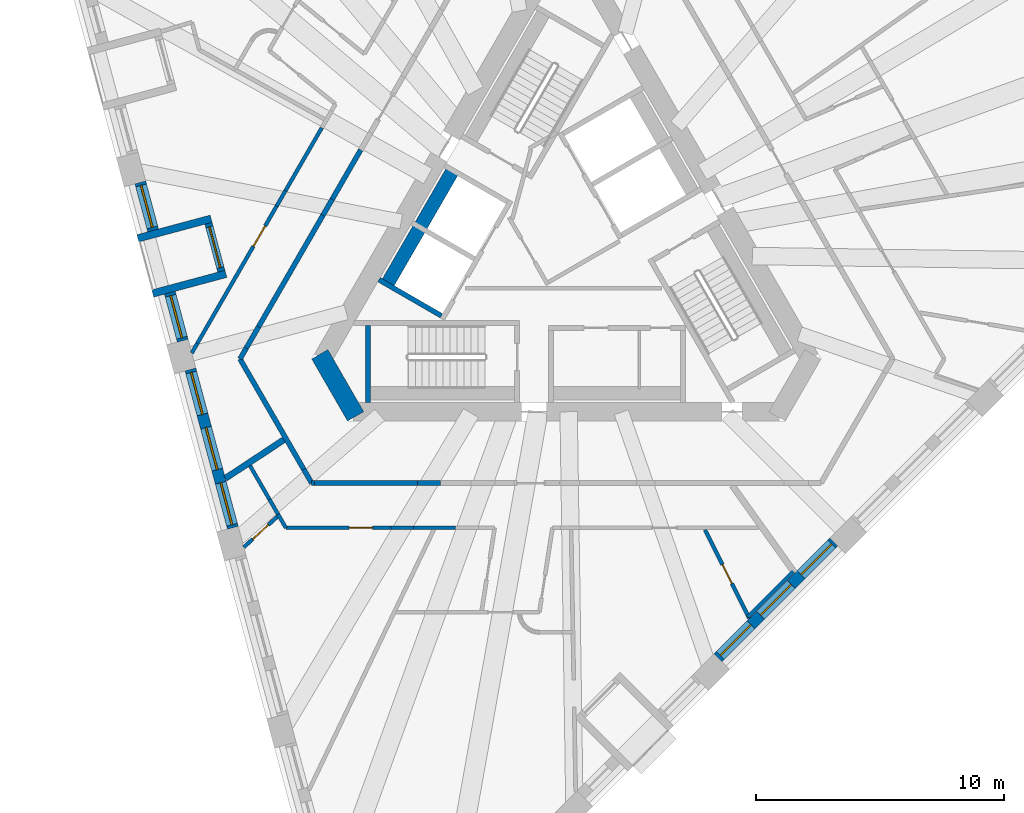
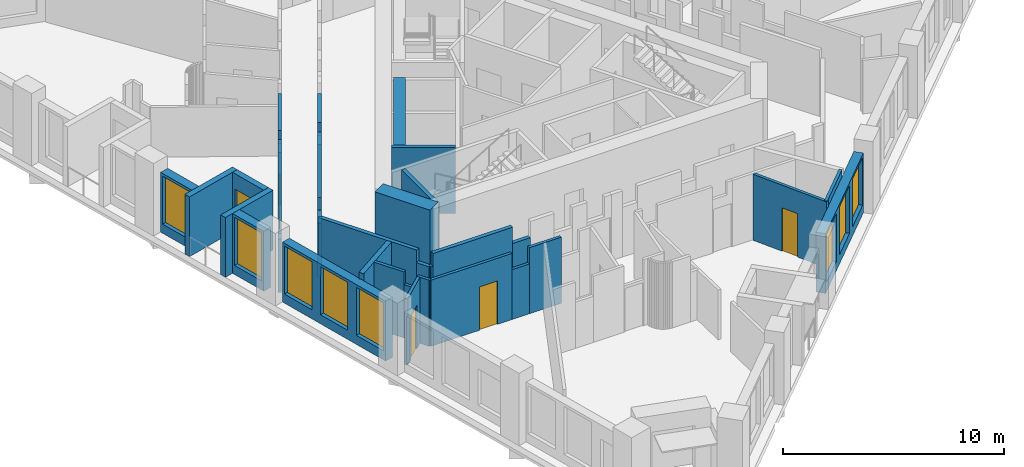
# One storey, part 3 of 13: 35 walls, 8 windows, 5 doors, 13 openings.
"""IFC4 building model written with IfcOpenShell, lengths in metres."""

import ifcopenshell
import ifcopenshell.guid

model = None  # the IFC model being written
_history = None  # IfcOwnerHistory: only IFC2X3 demands one
_inside = {}  # id of a spatial element -> (the spatial element, [elements in it])
_under = {}  # id of a project, library or spatial element -> (it, [spatial elements below it])
_declared = {}  # id of a project -> (the project, [libraries it declares])
_typed = {}  # id of a type object -> (the type object, [elements of that type])
_made_of = {}  # id of a material, layer set ... -> (it, [elements and type objects made of it])


def new_model(schema):
    """Start an empty IFC model of exactly this schema.

    Asked for "IFC4X3", IfcOpenShell would pick the latest addendum, in which some entities
    have other attributes; the version numbers below select the first issue.
    IFC2X3 requires an IfcOwnerHistory on every rooted entity: one is made here for all.
    """
    global model, _history
    if schema == "IFC4X3":
        model = ifcopenshell.file(schema_version=(4, 3, 0, 0))
    else:
        model = ifcopenshell.file(schema=schema)
    _inside.clear()
    _under.clear()
    _declared.clear()
    _typed.clear()
    _made_of.clear()
    _history = None
    if model.schema == "IFC2X3":
        org = make("IfcOrganization", Name="unknown")
        user = make(
            "IfcPersonAndOrganization",
            ThePerson=make("IfcPerson", FamilyName="unknown"),
            TheOrganization=org,
        )
        app = make(
            "IfcApplication",
            ApplicationDeveloper=org,
            Version="unknown",
            ApplicationFullName="unknown",
            ApplicationIdentifier="unknown",
        )
        _history = make(
            "IfcOwnerHistory",
            OwningUser=user,
            OwningApplication=app,
            ChangeAction="ADDED",
            CreationDate=0,
        )
    return model


def make(cls, **values):
    """One entity of the class cls with the attributes given. An attribute that is None is left unset."""
    return model.create_entity(
        cls, **{name: value for name, value in values.items() if value is not None}
    )


def rooted(cls, **values):
    """An entity with a GlobalId (a new one), such as an element, a storey or a relation."""
    return make(cls, GlobalId=ifcopenshell.guid.new(), OwnerHistory=_history, **values)


def si_unit(unit_type, name, prefix=None):
    """IfcSIUnit, for example si_unit("LENGTHUNIT", "METRE", prefix="MILLI")."""
    return make("IfcSIUnit", UnitType=unit_type, Prefix=prefix, Name=name)


def assignment(units):
    """IfcUnitAssignment: the units of a project."""
    return None if units is None else make("IfcUnitAssignment", Units=units)


def point(xyz):
    """IfcCartesianPoint."""
    return None if xyz is None else make("IfcCartesianPoint", Coordinates=xyz)


def direction(xyz):
    """IfcDirection."""
    return None if xyz is None else make("IfcDirection", DirectionRatios=xyz)


def frame(location, z_axis=None, x_axis=None):
    """IfcAxis2Placement3D, a coordinate frame: its origin and axes. An axis left out is left unset."""
    return make(
        "IfcAxis2Placement3D",
        Location=point(location),
        Axis=direction(z_axis),
        RefDirection=direction(x_axis),
    )


def frame_2d(location, x_axis=None):
    """IfcAxis2Placement2D, a coordinate frame in the plane: its origin and x axis."""
    return make(
        "IfcAxis2Placement2D", Location=point(location), RefDirection=direction(x_axis)
    )


def origin():
    """The frame at (0, 0, 0) with its axes left unset."""
    return frame((0.0, 0.0, 0.0))


def place(relative_to, where):
    """IfcLocalPlacement: puts the frame where relative to a parent placement (None: the world)."""
    return make(
        "IfcLocalPlacement", PlacementRelTo=relative_to, RelativePlacement=where
    )


def context(
    kind, dimensions, precision=None, world=None, true_north=None, identifier=None
):
    """IfcGeometricRepresentationContext, for example the 3D "Model" context."""
    return make(
        "IfcGeometricRepresentationContext",
        ContextIdentifier=identifier,
        ContextType=kind,
        CoordinateSpaceDimension=dimensions,
        Precision=precision,
        WorldCoordinateSystem=world,
        TrueNorth=true_north,
    )


def subcontext(parent, identifier, kind, view, scale=None):
    """IfcGeometricRepresentationSubContext, for example "Body" below "Model"."""
    return make(
        "IfcGeometricRepresentationSubContext",
        ContextIdentifier=identifier,
        ContextType=kind,
        ParentContext=parent,
        TargetScale=scale,
        TargetView=view,
    )


def project(units=None, contexts=None):
    """IfcProject with its units and contexts."""
    return rooted(
        "IfcProject",
        Name="project",
        RepresentationContexts=contexts,
        UnitsInContext=assignment(units),
    )


def spatial(cls, under=None, at=None, **own):
    """A site, building, storey or space (cls), placed at a placement, below another one or the project."""
    s = rooted(cls, ObjectPlacement=at, **own)
    if under is not None:
        _under.setdefault(under.id(), (under, []))[1].append(s)
    return s


def profile(cls, at=None, kind="AREA", **sizes):
    """A parametric profile (cls). Its sizes go by their IFC names, for example OverallWidth=200.0."""
    return make(cls, ProfileType=kind, Position=at, **sizes)


def rectangle(**sizes):
    """IfcRectangleProfileDef."""
    return profile("IfcRectangleProfileDef", **sizes)


def extrude(swept, where, along, depth):
    """IfcExtrudedAreaSolid: the profile swept, set in the frame where, extruded along a direction by depth."""
    return make(
        "IfcExtrudedAreaSolid",
        SweptArea=swept,
        Position=where,
        ExtrudedDirection=direction(along),
        Depth=depth,
    )


def shape(context_of_items, identifier, shape_type, items):
    """IfcShapeRepresentation: the items that make up one representation, for example the "Body"."""
    return make(
        "IfcShapeRepresentation",
        ContextOfItems=context_of_items,
        RepresentationIdentifier=identifier,
        RepresentationType=shape_type,
        Items=items,
    )


def material(Name=None, Category=None):
    """IfcMaterial."""
    return make("IfcMaterial", Name=Name, Category=Category)


def layer(
    of_material, thickness, ventilated=None, Name=None, Category=None, Priority=None
):
    """IfcMaterialLayer: one layer of a wall or slab, of a material (None: an air gap)."""
    return make(
        "IfcMaterialLayer",
        Material=of_material,
        LayerThickness=thickness,
        IsVentilated=ventilated,
        Name=Name,
        Category=Category,
        Priority=Priority,
    )


def layer_set(layers, Name=None):
    """IfcMaterialLayerSet."""
    return make("IfcMaterialLayerSet", MaterialLayers=layers, LayerSetName=Name)


def made_of(thing, what):
    """Note that an element or type object is made of a material, layer set ...; save() writes the relation."""
    if what is not None:
        _made_of.setdefault(what.id(), (what, []))[1].append(thing)
    return thing


def type_object(cls, material=None, **own):
    """A type object (cls), such as IfcWallType, which elements share."""
    return made_of(rooted(cls, **own), material)


def element(
    cls,
    number,
    at=None,
    inside=None,
    cuts=None,
    type_object=None,
    material=None,
    context=None,
    identifier="Body",
    shape_type=None,
    held_by="IfcProductDefinitionShape",
    body=None,
    shapes=None,
    **own,
):
    """One element of the class cls, such as IfcWall. Its Tag is "e" and its number.

    at: its placement. inside: the storey or other place that contains it. cuts: it is an
    opening in that element (IfcRelVoidsElement). A single representation is given by context,
    identifier, shape_type and body (its items); several are given by shapes. held_by: the class
    of the entity that holds the representations. save() writes the other relations.
    """
    e = rooted(cls, Tag="e%d" % number, ObjectPlacement=at, **own)
    if body is not None:
        shapes = [shape(context, identifier, shape_type, body)]
    if shapes is not None:
        e.Representation = make(held_by, Representations=shapes)
    if inside is not None:
        _inside.setdefault(inside.id(), (inside, []))[1].append(e)
    if cuts is not None:
        rooted(
            "IfcRelVoidsElement", RelatingBuildingElement=cuts, RelatedOpeningElement=e
        )
    if type_object is not None:
        _typed.setdefault(type_object.id(), (type_object, []))[1].append(e)
    return made_of(e, material)


def fill(opening, filler):
    """IfcRelFillsElement: the door or window that sits in an opening."""
    return rooted(
        "IfcRelFillsElement",
        RelatingOpeningElement=opening,
        RelatedBuildingElement=filler,
    )


def aggregate(whole, parts):
    """IfcRelAggregates: a whole, such as a stair, and the parts it consists of."""
    return rooted("IfcRelAggregates", RelatingObject=whole, RelatedObjects=parts)


def save(model, path):
    """Write the relations noted so far, then the file.

    IfcRelAggregates (storeys below a building ...), IfcRelContainedInSpatialStructure (elements
    in a storey), IfcRelDefinesByType, IfcRelAssociatesMaterial and IfcRelDeclares: one each for
    every whole, place, type object, material and project.
    """
    for whole, parts in _under.values():
        aggregate(whole, parts)
    for where, things in _inside.values():
        rooted(
            "IfcRelContainedInSpatialStructure",
            RelatedElements=things,
            RelatingStructure=where,
        )
    for kind, things in _typed.values():
        rooted("IfcRelDefinesByType", RelatedObjects=things, RelatingType=kind)
    for what, things in _made_of.values():
        rooted("IfcRelAssociatesMaterial", RelatedObjects=things, RelatingMaterial=what)
    for by, libraries in _declared.values():
        rooted("IfcRelDeclares", RelatingContext=by, RelatedDefinitions=libraries)
    model.write(path)


model = new_model("IFC4")

# Units and contexts
model_context = context("Model", 3, precision=1e-05, world=origin(), true_north=direction((0.0, 1.0)))
body_context = subcontext(model_context, "Body", "Model", "MODEL_VIEW")
ifc_project = project(units=[si_unit("LENGTHUNIT", "METRE"), si_unit("AREAUNIT", "SQUARE_METRE"), si_unit("VOLUMEUNIT", "CUBIC_METRE"), si_unit("PLANEANGLEUNIT", "RADIAN"), si_unit("MASSUNIT", "GRAM", prefix="KILO")], contexts=[model_context])

# Site, building, storey
site_placement = place(None, origin())
site = spatial("IfcSite", under=ifc_project, at=site_placement, CompositionType="ELEMENT")
building_placement = place(site_placement, origin())
building = spatial("IfcBuilding", under=site, at=building_placement, Name="Tramontana Tower", CompositionType="ELEMENT")
storey_placement = place(building_placement, frame((0.0, 0.0, 220.0)))
storey = spatial("IfcBuildingStorey", under=building, at=storey_placement, Name="L51", CompositionType="ELEMENT", Elevation=220.0)

# Walls
ifc_material_1 = material(Name="Concrete 70 MPa", Category="concrete")
ifc_layer_1 = layer(ifc_material_1, 0.75)
ifc_layer_set_1 = layer_set([ifc_layer_1], Name="Core wall 750 70 MPa")
wall_type_1 = type_object("IfcWallType", Name="Core wall 750 70 MPa", PredefinedType="SHEAR", material=ifc_layer_set_1)
wall_1_placement = place(storey_placement, frame((-9.923095703125, -4.0625, 0.0), z_axis=(0.0, 0.0, 1.0), x_axis=(0.499995765644, -0.866027848477, 0.0)))
element("IfcWall", 1, at=wall_1_placement, inside=storey, type_object=wall_type_1, Name="Core wall C2 L51", PredefinedType="SHEAR", context=body_context, shape_type="SweptSolid", body=[
    extrude(rectangle(XDim=2.88671875, YDim=0.75, at=frame_2d((1.443359375, 0.0))), origin(), (0.0, 0.0, 1.0), 4.0),
])
ifc_material_2 = material(Name="Blockwork", Category="masonry")
ifc_layer_2 = layer(ifc_material_2, 0.199951171875)
ifc_layer_set_2 = layer_set([ifc_layer_2], Name="ENTRY WALL 200")
wall_type_2 = type_object("IfcWallType", Name="ENTRY WALL 200", PredefinedType="SOLIDWALL", material=ifc_layer_set_2)
wall_2_placement = place(storey_placement, frame((-5.05615234375, -9.25, 0.0), z_axis=(0.0, 0.0, 1.0), x_axis=(-1.0, 0.0, 0.0)))
element("IfcWall", 2, at=wall_2_placement, inside=storey, type_object=wall_type_2, Name="Wall v51-ew2-11", PredefinedType="SOLIDWALL", context=body_context, shape_type="SweptSolid", body=[
    extrude(rectangle(XDim=0.931640625, YDim=0.199951171875, at=frame_2d((0.4658203125, 0.0))), origin(), (0.0, 0.0, 1.0), 2.75),
])
wall_3_placement = place(storey_placement, frame((-5.98779296875, -9.25, 0.0), z_axis=(0.0, 0.0, 1.0), x_axis=(-1.0, 0.0, 0.0)))
element("IfcWall", 3, at=wall_3_placement, inside=storey, type_object=wall_type_2, Name="Wall v51-ew2-12", PredefinedType="SOLIDWALL", context=body_context, shape_type="SweptSolid", body=[
    extrude(rectangle(XDim=4.1552734375, YDim=0.199951171875, at=frame_2d((2.07763671875, 0.0))), origin(), (0.0, 0.0, 1.0), 3.64990234375),
])
wall_4_placement = place(storey_placement, frame((-10.14306640625, -9.25, 0.0), z_axis=(0.0, 0.0, 1.0), x_axis=(-1.0, 0.0, 0.0)))
element("IfcWall", 4, at=wall_4_placement, inside=storey, type_object=wall_type_2, Name="Wall v51-ew2-13", PredefinedType="SOLIDWALL", context=body_context, shape_type="SweptSolid", body=[
    extrude(rectangle(XDim=0.10498046875, YDim=0.199951171875, at=frame_2d((0.052490234375, 0.0))), origin(), (0.0, 0.0, 1.0), 2.949951171875),
])
wall_5_placement = place(storey_placement, frame((-10.248046875, -9.25, 0.0), z_axis=(0.0, 0.0, 1.0), x_axis=(-0.499733411443, 0.86617926406, 0.0)))
element("IfcWall", 5, at=wall_5_placement, inside=storey, type_object=wall_type_2, Name="Wall v51-ew3-0", PredefinedType="SOLIDWALL", context=body_context, shape_type="SweptSolid", body=[
    extrude(rectangle(XDim=0.642822265625, YDim=0.199951171875, at=frame_2d((0.3212890625, 0.0))), origin(), (0.0, 0.0, 1.0), 2.949951171875),
])
wall_6_placement = place(storey_placement, frame((-10.5693359375, -8.693115234375, 0.0), z_axis=(0.0, 0.0, 1.0), x_axis=(-0.500028638513, 0.8660088687, 0.0)))
element("IfcWall", 6, at=wall_6_placement, inside=storey, type_object=wall_type_2, Name="Wall v51-ew3-1", PredefinedType="SOLIDWALL", context=body_context, shape_type="SweptSolid", body=[
    extrude(rectangle(XDim=5.130615234375, YDim=0.199951171875, at=frame_2d((2.5654296875, 0.0))), origin(), (0.0, 0.0, 1.0), 3.64990234375),
])
wall_7_placement = place(storey_placement, frame((-13.134765625, -4.25, 0.0), z_axis=(0.0, 0.0, 1.0), x_axis=(0.500002592159, 0.866023907196, 0.0)))
element("IfcWall", 7, at=wall_7_placement, inside=storey, type_object=wall_type_2, Name="Wall v51-ew4-0", PredefinedType="SOLIDWALL", context=body_context, shape_type="SweptSolid", body=[
    extrude(rectangle(XDim=0.5029296875, YDim=0.199951171875, at=frame_2d((0.25146484375, 0.0))), origin(), (0.0, 0.0, 1.0), 3.64990234375),
])
wall_8_placement = place(storey_placement, frame((-12.88330078125, -3.814453125, 0.0), z_axis=(0.0, 0.0, 1.0), x_axis=(0.500063959222, 0.865988473761, 0.0)))
element("IfcWall", 8, at=wall_8_placement, inside=storey, type_object=wall_type_2, Name="Wall v51-ew4-1", PredefinedType="SOLIDWALL", context=body_context, shape_type="SweptSolid", body=[
    extrude(rectangle(XDim=0.989990234375, YDim=0.199951171875, at=frame_2d((0.4951171875, 0.0))), origin(), (0.0, 0.0, 1.0), 2.949951171875),
])
wall_9_placement = place(storey_placement, frame((-12.38818359375, -2.95703125, 0.0), z_axis=(0.0, 0.0, 1.0), x_axis=(0.499990271856, 0.866031020258, 0.0)))
element("IfcWall", 9, at=wall_9_placement, inside=storey, type_object=wall_type_2, Name="Wall v51-ew4-2", PredefinedType="SOLIDWALL", context=body_context, shape_type="SweptSolid", body=[
    extrude(rectangle(XDim=5.181640625, YDim=0.199951171875, at=frame_2d((2.5908203125, 0.0))), origin(), (0.0, 0.0, 1.0), 3.64990234375),
])
wall_10_placement = place(storey_placement, frame((-9.79736328125, 1.530517578125, 0.0), z_axis=(0.0, 0.0, 1.0), x_axis=(0.499931655587, 0.866064858854, 0.0)))
element("IfcWall", 10, at=wall_10_placement, inside=storey, type_object=wall_type_2, Name="Wall v51-ew4-3", PredefinedType="SOLIDWALL", context=body_context, shape_type="SweptSolid", body=[
    extrude(rectangle(XDim=0.74072265625, YDim=0.199951171875, at=frame_2d((0.370361328125, 0.0))), origin(), (0.0, 0.0, 1.0), 2.949951171875),
])
wall_11_placement = place(storey_placement, frame((-9.427001953125, 2.172119140625, 0.0), z_axis=(0.0, 0.0, 1.0), x_axis=(0.500013761451, 0.866017458461, 0.0)))
element("IfcWall", 11, at=wall_11_placement, inside=storey, type_object=wall_type_2, Name="Wall v51-ew4-4", PredefinedType="SOLIDWALL", context=body_context, shape_type="SweptSolid", body=[
    extrude(rectangle(XDim=2.29736328125, YDim=0.199951171875, at=frame_2d((1.148681640625, 0.0))), origin(), (0.0, 0.0, 1.0), 3.64990234375),
])

# Wall, opening, window
ifc_material_3 = material(Name="Precast concrete 60 MPa", Category="concrete")
ifc_layer_3 = layer(ifc_material_3, 0.449951171875)
ifc_layer_set_3 = layer_set([ifc_layer_3], Name="Precast concrete 60 MPa, 450 mm")
wall_type_3 = type_object("IfcWallType", Name="EW1 Stone-faced precast wall 450", PredefinedType="SOLIDWALL", material=ifc_layer_set_3)
wall_12_placement = place(storey_placement, frame((-17.147705078125, 2.853271484375, 0.0), z_axis=(0.0, 0.0, 1.0), x_axis=(0.258803270362, -0.96593005298, 0.0)))
wall_12 = element("IfcWall", 12, at=wall_12_placement, inside=storey, type_object=wall_type_3, Name="External wall L51 face 0 bay 3", PredefinedType="SOLIDWALL", context=body_context, shape_type="SweptSolid", body=[
    extrude(rectangle(XDim=1.998046875, YDim=0.449951171875, at=frame_2d((0.9990234375, 0.0))), origin(), (0.0, 0.0, 1.0), 3.300048828125),
])
opening_1_placement = place(wall_12_placement, frame((0.1240234375, 0.0, 0.5)))
opening_1 = element("IfcOpeningElement", 13, at=opening_1_placement, cuts=wall_12, Name="Opening M2", PredefinedType="OPENING", context=body_context, shape_type="SweptSolid", body=[
    extrude(rectangle(XDim=1.75, YDim=2.64990234375, at=frame_2d((0.875, 1.324951171875))), frame((0.0, 0.23486328125, 0.0), z_axis=(0.0, -1.0, 0.0), x_axis=(1.0, 0.0, 0.0)), (0.0, 0.0, 1.0), 0.469970703125),
])
ifc_material_4 = material(Name="Aluminum frame, double glazing unit", Category="aluminium")
window_type = type_object("IfcWindowType", Name="M2 Window 1.75 x 2.65", PartitioningType="SINGLE_PANEL", PredefinedType="WINDOW", material=ifc_material_4)
window_1_placement = place(opening_1_placement, origin())
window_1 = element("IfcWindow", 14, at=window_1_placement, inside=storey, type_object=window_type, Name="Window M2 L51 face 0 module 7", OverallHeight=2.64990234375, OverallWidth=1.75, PartitioningType="SINGLE_PANEL", PredefinedType="WINDOW", context=body_context, shape_type="SweptSolid", body=[
    extrude(rectangle(XDim=1.75, YDim=2.64990234375, at=frame_2d((0.875, 1.324951171875))), frame((0.0, 0.030029296875, 0.0), z_axis=(0.0, -1.0, 0.0), x_axis=(1.0, 0.0, 0.0)), (0.0, 0.0, 1.0), 0.06005859375),
])
fill(opening_1, window_1)

wall_13_placement = place(storey_placement, frame((-15.958251953125, -1.586181640625, 0.0), z_axis=(0.0, 0.0, 1.0), x_axis=(0.258772727493, -0.965938235865, 0.0)))
wall_13 = element("IfcWall", 15, at=wall_13_placement, inside=storey, type_object=wall_type_3, Name="External wall L51 face 0 bay 3", PredefinedType="SOLIDWALL", context=body_context, shape_type="SweptSolid", body=[
    extrude(rectangle(XDim=1.998291015625, YDim=0.449951171875, at=frame_2d((0.9990234375, 0.0))), origin(), (0.0, 0.0, 1.0), 3.300048828125),
])
opening_2_placement = place(wall_13_placement, frame((0.1240234375, 0.0, 0.5)))
opening_2 = element("IfcOpeningElement", 16, at=opening_2_placement, cuts=wall_13, Name="Opening M2", PredefinedType="OPENING", context=body_context, shape_type="SweptSolid", body=[
    extrude(rectangle(XDim=1.75, YDim=2.64990234375, at=frame_2d((0.875, 1.324951171875))), frame((0.0, 0.23486328125, 0.0), z_axis=(0.0, -1.0, 0.0), x_axis=(1.0, 0.0, 0.0)), (0.0, 0.0, 1.0), 0.469970703125),
])
window_2_placement = place(opening_2_placement, origin())
window_2 = element("IfcWindow", 17, at=window_2_placement, inside=storey, type_object=window_type, Name="Window M2 L51 face 0 module 9", OverallHeight=2.64990234375, OverallWidth=1.75, PartitioningType="SINGLE_PANEL", PredefinedType="WINDOW", context=body_context, shape_type="SweptSolid", body=[
    extrude(rectangle(XDim=1.75, YDim=2.64990234375, at=frame_2d((0.875, 1.324951171875))), frame((0.0, 0.030029296875, 0.0), z_axis=(0.0, -1.0, 0.0), x_axis=(1.0, 0.0, 0.0)), (0.0, 0.0, 1.0), 0.06005859375),
])
fill(opening_2, window_2)

# Wall, openings, windows
wall_14_placement = place(storey_placement, frame((-15.13037109375, -4.67529296875, 0.0), z_axis=(0.0, 0.0, 1.0), x_axis=(0.258791602952, -0.965933178973, 0.0)))
wall_14 = element("IfcWall", 18, at=wall_14_placement, inside=storey, type_object=wall_type_3, Name="External wall L51 face 0 bay 4", PredefinedType="SOLIDWALL", context=body_context, shape_type="SweptSolid", body=[
    extrude(rectangle(XDim=6.59423828125, YDim=0.449951171875, at=frame_2d((3.297119140625, 0.0))), origin(), (0.0, 0.0, 1.0), 3.300048828125),
])
opening_3_placement = place(wall_14_placement, frame((0.1240234375, 0.0, 0.5)))
opening_3 = element("IfcOpeningElement", 19, at=opening_3_placement, cuts=wall_14, Name="Opening M2", PredefinedType="OPENING", context=body_context, shape_type="SweptSolid", body=[
    extrude(rectangle(XDim=1.75, YDim=2.64990234375, at=frame_2d((0.875, 1.324951171875))), frame((0.0, 0.23486328125, 0.0), z_axis=(0.0, -1.0, 0.0), x_axis=(1.0, 0.0, 0.0)), (0.0, 0.0, 1.0), 0.469970703125),
])
opening_4_placement = place(wall_14_placement, frame((2.422119140625, 0.0, 0.5)))
opening_4 = element("IfcOpeningElement", 20, at=opening_4_placement, cuts=wall_14, Name="Opening M2", PredefinedType="OPENING", context=body_context, shape_type="SweptSolid", body=[
    extrude(rectangle(XDim=1.75, YDim=2.64990234375, at=frame_2d((0.875, 1.324951171875))), frame((0.0, 0.23486328125, 0.0), z_axis=(0.0, -1.0, 0.0), x_axis=(1.0, 0.0, 0.0)), (0.0, 0.0, 1.0), 0.469970703125),
])
opening_5_placement = place(wall_14_placement, frame((4.72021484375, 0.0, 0.5)))
opening_5 = element("IfcOpeningElement", 21, at=opening_5_placement, cuts=wall_14, Name="Opening M2", PredefinedType="OPENING", context=body_context, shape_type="SweptSolid", body=[
    extrude(rectangle(XDim=1.75, YDim=2.64990234375, at=frame_2d((0.875, 1.324951171875))), frame((0.0, 0.23486328125, 0.0), z_axis=(0.0, -1.0, 0.0), x_axis=(1.0, 0.0, 0.0)), (0.0, 0.0, 1.0), 0.469970703125),
])
window_3_placement = place(opening_3_placement, origin())
window_3 = element("IfcWindow", 22, at=window_3_placement, inside=storey, type_object=window_type, Name="Window M2 L51 face 0 module 10", OverallHeight=2.64990234375, OverallWidth=1.75, PartitioningType="SINGLE_PANEL", PredefinedType="WINDOW", context=body_context, shape_type="SweptSolid", body=[
    extrude(rectangle(XDim=1.75, YDim=2.64990234375, at=frame_2d((0.875, 1.324951171875))), frame((0.0, 0.030029296875, 0.0), z_axis=(0.0, -1.0, 0.0), x_axis=(1.0, 0.0, 0.0)), (0.0, 0.0, 1.0), 0.06005859375),
])
fill(opening_3, window_3)
window_4_placement = place(opening_4_placement, origin())
window_4 = element("IfcWindow", 23, at=window_4_placement, inside=storey, type_object=window_type, Name="Window M2 L51 face 0 module 11", OverallHeight=2.64990234375, OverallWidth=1.75, PartitioningType="SINGLE_PANEL", PredefinedType="WINDOW", context=body_context, shape_type="SweptSolid", body=[
    extrude(rectangle(XDim=1.75, YDim=2.64990234375, at=frame_2d((0.875, 1.324951171875))), frame((0.0, 0.030029296875, 0.0), z_axis=(0.0, -1.0, 0.0), x_axis=(1.0, 0.0, 0.0)), (0.0, 0.0, 1.0), 0.06005859375),
])
fill(opening_4, window_4)
window_5_placement = place(opening_5_placement, origin())
window_5 = element("IfcWindow", 24, at=window_5_placement, inside=storey, type_object=window_type, Name="Window M2 L51 face 0 module 12", OverallHeight=2.64990234375, OverallWidth=1.75, PartitioningType="SINGLE_PANEL", PredefinedType="WINDOW", context=body_context, shape_type="SweptSolid", body=[
    extrude(rectangle(XDim=1.75, YDim=2.64990234375, at=frame_2d((0.875, 1.324951171875))), frame((0.0, 0.030029296875, 0.0), z_axis=(0.0, -1.0, 0.0), x_axis=(1.0, 0.0, 0.0)), (0.0, 0.0, 1.0), 0.06005859375),
])
fill(opening_5, window_5)

wall_15_placement = place(storey_placement, frame((6.102783203125, -16.277099609375, 0.0), z_axis=(0.0, 0.0, 1.0), x_axis=(0.707106781187, 0.707106781187, 0.0)))
wall_15 = element("IfcWall", 25, at=wall_15_placement, inside=storey, type_object=wall_type_3, Name="External wall L51 face 1 bay 3", PredefinedType="SOLIDWALL", context=body_context, shape_type="SweptSolid", body=[
    extrude(rectangle(XDim=6.59423828125, YDim=0.449951171875, at=frame_2d((3.297119140625, 0.0))), origin(), (0.0, 0.0, 1.0), 3.300048828125),
])
opening_6_placement = place(wall_15_placement, frame((0.1240234375, 0.0, 0.5)))
opening_6 = element("IfcOpeningElement", 26, at=opening_6_placement, cuts=wall_15, Name="Opening M2", PredefinedType="OPENING", context=body_context, shape_type="SweptSolid", body=[
    extrude(rectangle(XDim=1.75, YDim=2.64990234375, at=frame_2d((0.875, 1.324951171875))), frame((0.0, 0.23486328125, 0.0), z_axis=(0.0, -1.0, 0.0), x_axis=(1.0, 0.0, 0.0)), (0.0, 0.0, 1.0), 0.469970703125),
])
opening_7_placement = place(wall_15_placement, frame((2.422119140625, 0.0, 0.5)))
opening_7 = element("IfcOpeningElement", 27, at=opening_7_placement, cuts=wall_15, Name="Opening M2", PredefinedType="OPENING", context=body_context, shape_type="SweptSolid", body=[
    extrude(rectangle(XDim=1.75, YDim=2.64990234375, at=frame_2d((0.875, 1.324951171875))), frame((0.0, 0.23486328125, 0.0), z_axis=(0.0, -1.0, 0.0), x_axis=(1.0, 0.0, 0.0)), (0.0, 0.0, 1.0), 0.469970703125),
])
opening_8_placement = place(wall_15_placement, frame((4.72021484375, 0.0, 0.5)))
opening_8 = element("IfcOpeningElement", 28, at=opening_8_placement, cuts=wall_15, Name="Opening M2", PredefinedType="OPENING", context=body_context, shape_type="SweptSolid", body=[
    extrude(rectangle(XDim=1.75, YDim=2.64990234375, at=frame_2d((0.875, 1.324951171875))), frame((0.0, 0.23486328125, 0.0), z_axis=(0.0, -1.0, 0.0), x_axis=(1.0, 0.0, 0.0)), (0.0, 0.0, 1.0), 0.469970703125),
])
window_6_placement = place(opening_6_placement, origin())
window_6 = element("IfcWindow", 29, at=window_6_placement, inside=storey, type_object=window_type, Name="Window M2 L51 face 1 module 7", OverallHeight=2.64990234375, OverallWidth=1.75, PartitioningType="SINGLE_PANEL", PredefinedType="WINDOW", context=body_context, shape_type="SweptSolid", body=[
    extrude(rectangle(XDim=1.75, YDim=2.64990234375, at=frame_2d((0.875, 1.324951171875))), frame((0.0, 0.030029296875, 0.0), z_axis=(0.0, -1.0, 0.0), x_axis=(1.0, 0.0, 0.0)), (0.0, 0.0, 1.0), 0.06005859375),
])
fill(opening_6, window_6)
window_7_placement = place(opening_7_placement, origin())
window_7 = element("IfcWindow", 30, at=window_7_placement, inside=storey, type_object=window_type, Name="Window M2 L51 face 1 module 8", OverallHeight=2.64990234375, OverallWidth=1.75, PartitioningType="SINGLE_PANEL", PredefinedType="WINDOW", context=body_context, shape_type="SweptSolid", body=[
    extrude(rectangle(XDim=1.75, YDim=2.64990234375, at=frame_2d((0.875, 1.324951171875))), frame((0.0, 0.030029296875, 0.0), z_axis=(0.0, -1.0, 0.0), x_axis=(1.0, 0.0, 0.0)), (0.0, 0.0, 1.0), 0.06005859375),
])
fill(opening_7, window_7)
window_8_placement = place(opening_8_placement, origin())
window_8 = element("IfcWindow", 31, at=window_8_placement, inside=storey, type_object=window_type, Name="Window M2 L51 face 1 module 9", OverallHeight=2.64990234375, OverallWidth=1.75, PartitioningType="SINGLE_PANEL", PredefinedType="WINDOW", context=body_context, shape_type="SweptSolid", body=[
    extrude(rectangle(XDim=1.75, YDim=2.64990234375, at=frame_2d((0.875, 1.324951171875))), frame((0.0, 0.030029296875, 0.0), z_axis=(0.0, -1.0, 0.0), x_axis=(1.0, 0.0, 0.0)), (0.0, 0.0, 1.0), 0.06005859375),
])
fill(opening_8, window_8)

# Wall, opening, door
ifc_material_5 = material(Name="Precast concrete 60 MPa", Category="concrete")
ifc_layer_4 = layer(ifc_material_5, 0.300048828125)
ifc_layer_set_4 = layer_set([ifc_layer_4], Name="LW1 Stone-faced loggia wall 300")
wall_type_4 = type_object("IfcWallType", Name="LW1 Stone-faced loggia wall 300", PredefinedType="SOLIDWALL", material=ifc_layer_set_4)
wall_16_placement = place(storey_placement, frame((-14.40380859375, 1.20947265625, 0.0), z_axis=(0.0, 0.0, 1.0), x_axis=(0.258772727493, -0.965938235865, 0.0)))
wall_16 = element("IfcWall", 32, at=wall_16_placement, inside=storey, type_object=wall_type_4, Name="Loggia wall L51 G5S0.7", PredefinedType="SOLIDWALL", context=body_context, shape_type="SweptSolid", body=[
    extrude(rectangle(XDim=1.998291015625, YDim=0.300048828125, at=frame_2d((0.9990234375, 0.0))), origin(), (0.0, 0.0, 1.0), 3.300048828125),
])
opening_9_placement = place(wall_16_placement, frame((0.14892578125, 0.0, 0.0)))
opening_9 = element("IfcOpeningElement", 33, at=opening_9_placement, cuts=wall_16, Name="Opening BD-5S0-07", PredefinedType="OPENING", context=body_context, shape_type="SweptSolid", body=[
    extrude(rectangle(XDim=1.699951171875, YDim=2.449951171875, at=frame_2d((0.85009765625, 1.22509765625))), frame((0.0, 0.159912109375, 0.0), z_axis=(0.0, -1.0, 0.0), x_axis=(1.0, 0.0, 0.0)), (0.0, 0.0, 1.0), 0.320068359375),
])
ifc_material_6 = material(Name="Aluminum frame, double glazing unit", Category="aluminium")
door_type_1 = type_object("IfcDoorType", Name="BD2 Sliding door 1.7 x 2.45", OperationType="SLIDING_TO_LEFT", PredefinedType="DOOR", material=ifc_material_6)
door_1_placement = place(opening_9_placement, origin())
door_1 = element("IfcDoor", 34, at=door_1_placement, inside=storey, type_object=door_type_1, Name="Loggia door L51 G5S0.7", OperationType="SLIDING_TO_LEFT", OverallHeight=2.449951171875, OverallWidth=1.699951171875, PredefinedType="DOOR", context=body_context, shape_type="SweptSolid", body=[
    extrude(rectangle(XDim=1.699951171875, YDim=2.449951171875, at=frame_2d((0.85009765625, 1.22509765625))), frame((0.0, 0.02490234375, 0.0), z_axis=(0.0, -1.0, 0.0), x_axis=(1.0, 0.0, 0.0)), (0.0, 0.0, 1.0), 0.050048828125),
])
fill(opening_9, door_1)

# Walls
for number, where, z_axis, x_axis, name in (
    (35, (-17.243896484375, 0.603759765625, 0.0), (0.0, 0.0, 1.0), (0.965932688119, 0.258793435045, 0.0), "Loggia return L51 G5S0.7a"),
    (36, (-16.64892578125, -1.615966796875, 0.0), (0.0, 0.0, 1.0), (0.965932688119, 0.258793435045, 0.0), "Loggia return L51 G5S0.7b"),
):
    element("IfcWall", number, at=place(storey_placement, frame(where, z_axis=z_axis, x_axis=x_axis)), inside=storey, type_object=wall_type_4, Name=name, PredefinedType="SOLIDWALL", context=body_context, shape_type="SweptSolid", body=[
        extrude(rectangle(XDim=3.050048828125, YDim=0.300048828125, at=frame_2d((1.52490234375, 0.0))), origin(), (0.0, 0.0, 1.0), 3.300048828125),
    ])
ifc_material_7 = material(Name="Gypsum board partition")
ifc_layer_5 = layer(ifc_material_7, 0.14990234375)
ifc_layer_set_5 = layer_set([ifc_layer_5], Name="PARTITION 150")
wall_type_5 = type_object("IfcWallType", Name="PARTITION 150", PredefinedType="PARTITIONING", material=ifc_layer_set_5)
wall_17_placement = place(storey_placement, frame((-15.075439453125, -4.011474609375, 0.0), z_axis=(0.0, 0.0, 1.0), x_axis=(0.500027377864, 0.86600959659, 0.0)))
element("IfcWall", 37, at=wall_17_placement, inside=storey, type_object=wall_type_5, Name="Wall v51-pw01-0", PredefinedType="PARTITIONING", context=body_context, shape_type="SweptSolid", body=[
    extrude(rectangle(XDim=0.43896484375, YDim=0.14990234375, at=frame_2d((0.219482421875, 0.0))), origin(), (0.0, 0.0, 1.0), 2.949951171875),
])

# Wall, opening, door
wall_18_placement = place(storey_placement, frame((-14.85595703125, -3.63134765625, 0.0), z_axis=(0.0, 0.0, 1.0), x_axis=(0.49999366119, 0.866029063467, 0.0)))
wall_18 = element("IfcWall", 38, at=wall_18_placement, inside=storey, type_object=wall_type_5, Name="Wall v51-pw01-1", PredefinedType="PARTITIONING", context=body_context, shape_type="SweptSolid", body=[
    extrude(rectangle(XDim=6.3896484375, YDim=0.14990234375, at=frame_2d((3.19482421875, 0.0))), origin(), (0.0, 0.0, 1.0), 3.64990234375),
])
opening_10_placement = place(wall_18_placement, frame((4.517333984375, 0.0, 0.0)))
opening_10 = element("IfcOpeningElement", 39, at=opening_10_placement, cuts=wall_18, Name="Opening B5B-05", PredefinedType="OPENING", context=body_context, shape_type="SweptSolid", body=[
    extrude(rectangle(XDim=0.949951171875, YDim=2.39990234375, at=frame_2d((0.47509765625, 1.199951171875))), frame((0.0, 0.0849609375, 0.0), z_axis=(0.0, -1.0, 0.0), x_axis=(1.0, 0.0, 0.0)), (0.0, 0.0, 1.0), 0.169921875),
])
ifc_material_8 = material(Name="Painted timber", Category="wood")
door_type_2 = type_object("IfcDoorType", Name="DOOR ROOM 950", OperationType="SINGLE_SWING_LEFT", PredefinedType="DOOR", material=ifc_material_8)
door_2_placement = place(opening_10_placement, origin())
door_2 = element("IfcDoor", 40, at=door_2_placement, inside=storey, type_object=door_type_2, Name="Door B5B-05", OperationType="SINGLE_SWING_LEFT", OverallHeight=2.39990234375, OverallWidth=0.949951171875, PredefinedType="DOOR", context=body_context, shape_type="SweptSolid", body=[
    extrude(rectangle(XDim=0.949951171875, YDim=2.39990234375, at=frame_2d((0.47509765625, 1.199951171875))), frame((0.0, 0.02490234375, 0.0), z_axis=(0.0, -1.0, 0.0), x_axis=(1.0, 0.0, 0.0)), (0.0, 0.0, 1.0), 0.050048828125),
])
fill(opening_10, door_2)

# Walls
wall_19_placement = place(storey_placement, frame((-11.6611328125, 1.90234375, 0.0), z_axis=(0.0, 0.0, 1.0), x_axis=(0.499998569178, 0.866026229868, 0.0)))
element("IfcWall", 41, at=wall_19_placement, inside=storey, type_object=wall_type_5, Name="Wall v51-pw01-2", PredefinedType="PARTITIONING", context=body_context, shape_type="SweptSolid", body=[
    extrude(rectangle(XDim=0.71435546875, YDim=0.14990234375, at=frame_2d((0.357177734375, 0.0))), origin(), (0.0, 0.0, 1.0), 2.949951171875),
])
wall_20_placement = place(storey_placement, frame((-11.303955078125, 2.52099609375, 0.0), z_axis=(0.0, 0.0, 1.0), x_axis=(0.49998782916, 0.866032430508, 0.0)))
element("IfcWall", 42, at=wall_20_placement, inside=storey, type_object=wall_type_5, Name="Wall v51-pw01-3", PredefinedType="PARTITIONING", context=body_context, shape_type="SweptSolid", body=[
    extrude(rectangle(XDim=2.919921875, YDim=0.14990234375, at=frame_2d((1.4599609375, 0.0))), origin(), (0.0, 0.0, 1.0), 3.64990234375),
])

# Wall, opening, door
wall_21_placement = place(storey_placement, frame((-12.98095703125, -11.828369140625, 0.0), z_axis=(0.0, 0.0, 1.0), x_axis=(0.739151893592, 0.673538772603, 0.0)))
wall_21 = element("IfcWall", 43, at=wall_21_placement, inside=storey, type_object=wall_type_5, Name="Wall v51-pw22", PredefinedType="PARTITIONING", context=body_context, shape_type="SweptSolid", body=[
    extrude(rectangle(XDim=1.8232421875, YDim=0.14990234375, at=frame_2d((0.91162109375, 0.0))), origin(), (0.0, 0.0, 1.0), 3.64990234375),
])
opening_11_placement = place(wall_21_placement, frame((0.486572265625, 0.0, 0.0)))
opening_11 = element("IfcOpeningElement", 44, at=opening_11_placement, cuts=wall_21, Name="Opening B5B-11", PredefinedType="OPENING", context=body_context, shape_type="SweptSolid", body=[
    extrude(rectangle(XDim=0.85009765625, YDim=2.39990234375, at=frame_2d((0.425048828125, 1.199951171875))), frame((0.0, 0.0849609375, 0.0), z_axis=(0.0, -1.0, 0.0), x_axis=(1.0, 0.0, 0.0)), (0.0, 0.0, 1.0), 0.169921875),
])
ifc_material_9 = material(Name="Painted timber", Category="wood")
door_type_3 = type_object("IfcDoorType", Name="DOOR BATH 850", OperationType="SINGLE_SWING_LEFT", PredefinedType="DOOR", material=ifc_material_9)
door_3_placement = place(opening_11_placement, origin())
door_3 = element("IfcDoor", 45, at=door_3_placement, inside=storey, type_object=door_type_3, Name="Door B5B-11", OperationType="SINGLE_SWING_LEFT", OverallHeight=2.39990234375, OverallWidth=0.85009765625, PredefinedType="DOOR", context=body_context, shape_type="SweptSolid", body=[
    extrude(rectangle(XDim=0.85009765625, YDim=2.39990234375, at=frame_2d((0.425048828125, 1.199951171875))), frame((0.0, 0.02490234375, 0.0), z_axis=(0.0, -1.0, 0.0), x_axis=(1.0, 0.0, 0.0)), (0.0, 0.0, 1.0), 0.050048828125),
])
fill(opening_11, door_3)

# Walls
wall_22_placement = place(storey_placement, frame((-11.287109375, -11.050048828125, 0.0), z_axis=(0.0, 0.0, 1.0), x_axis=(-0.500187988959, 0.865916841101, 0.0)))
element("IfcWall", 46, at=wall_22_placement, inside=storey, type_object=wall_type_5, Name="Wall v51-pw24-0", PredefinedType="PARTITIONING", context=body_context, shape_type="SweptSolid", body=[
    extrude(rectangle(XDim=0.635498046875, YDim=0.14990234375, at=frame_2d((0.31787109375, 0.0))), origin(), (0.0, 0.0, 1.0), 3.64990234375),
])
wall_23_placement = place(storey_placement, frame((-11.60498046875, -10.499755859375, 0.0), z_axis=(0.0, 0.0, 1.0), x_axis=(-0.499845467243, 0.866114604932, 0.0)))
element("IfcWall", 47, at=wall_23_placement, inside=storey, type_object=wall_type_5, Name="Wall v51-pw24-1", PredefinedType="PARTITIONING", context=body_context, shape_type="SweptSolid", body=[
    extrude(rectangle(XDim=0.687255859375, YDim=0.14990234375, at=frame_2d((0.34375, 0.0))), origin(), (0.0, 0.0, 1.0), 2.949951171875),
])
wall_24_placement = place(storey_placement, frame((-11.948486328125, -9.904541015625, 0.0), z_axis=(0.0, 0.0, 1.0), x_axis=(-0.500069428396, 0.86598531557, 0.0)))
element("IfcWall", 48, at=wall_24_placement, inside=storey, type_object=wall_type_5, Name="Wall v51-pw24-2", PredefinedType="PARTITIONING", context=body_context, shape_type="SweptSolid", body=[
    extrude(rectangle(XDim=1.563232421875, YDim=0.14990234375, at=frame_2d((0.78173828125, 0.0))), origin(), (0.0, 0.0, 1.0), 3.64990234375),
])
wall_25_placement = place(storey_placement, frame((-4.4677734375, -11.050048828125, 0.0), z_axis=(0.0, 0.0, 1.0), x_axis=(-1.0, 0.0, 0.0)))
element("IfcWall", 49, at=wall_25_placement, inside=storey, type_object=wall_type_5, Name="Wall v51-pw32-2", PredefinedType="PARTITIONING", context=body_context, shape_type="SweptSolid", body=[
    extrude(rectangle(XDim=1.677490234375, YDim=0.14990234375, at=frame_2d((0.8388671875, 0.0))), origin(), (0.0, 0.0, 1.0), 3.64990234375),
])
wall_26_placement = place(storey_placement, frame((-6.145263671875, -11.050048828125, 0.0), z_axis=(0.0, 0.0, 1.0), x_axis=(-1.0, 0.0, 0.0)))
element("IfcWall", 50, at=wall_26_placement, inside=storey, type_object=wall_type_5, Name="Wall v51-pw32-3", PredefinedType="PARTITIONING", context=body_context, shape_type="SweptSolid", body=[
    extrude(rectangle(XDim=0.902587890625, YDim=0.14990234375, at=frame_2d((0.451171875, 0.0))), origin(), (0.0, 0.0, 1.0), 2.75),
])

# Wall, opening, door
wall_27_placement = place(storey_placement, frame((-7.0478515625, -11.050048828125, 0.0), z_axis=(0.0, 0.0, 1.0), x_axis=(-1.0, 0.0, 0.0)))
wall_27 = element("IfcWall", 51, at=wall_27_placement, inside=storey, type_object=wall_type_5, Name="Wall v51-pw32-4", PredefinedType="PARTITIONING", context=body_context, shape_type="SweptSolid", body=[
    extrude(rectangle(XDim=4.2392578125, YDim=0.14990234375, at=frame_2d((2.11962890625, 0.0))), origin(), (0.0, 0.0, 1.0), 3.64990234375),
])
opening_12_placement = place(wall_27_placement, frame((0.7490234375, 0.0, 0.0)))
opening_12 = element("IfcOpeningElement", 52, at=opening_12_placement, cuts=wall_27, Name="Opening B5B-09", PredefinedType="OPENING", context=body_context, shape_type="SweptSolid", body=[
    extrude(rectangle(XDim=0.949951171875, YDim=2.39990234375, at=frame_2d((0.47509765625, 1.199951171875))), frame((0.0, 0.0849609375, 0.0), z_axis=(0.0, -1.0, 0.0), x_axis=(1.0, 0.0, 0.0)), (0.0, 0.0, 1.0), 0.169921875),
])
door_4_placement = place(opening_12_placement, origin())
door_4 = element("IfcDoor", 53, at=door_4_placement, inside=storey, type_object=door_type_2, Name="Door B5B-09", OperationType="SINGLE_SWING_LEFT", OverallHeight=2.39990234375, OverallWidth=0.949951171875, PredefinedType="DOOR", context=body_context, shape_type="SweptSolid", body=[
    extrude(rectangle(XDim=0.949951171875, YDim=2.39990234375, at=frame_2d((0.47509765625, 1.199951171875))), frame((0.0, 0.02490234375, 0.0), z_axis=(0.0, -1.0, 0.0), x_axis=(1.0, 0.0, 0.0)), (0.0, 0.0, 1.0), 0.050048828125),
])
fill(opening_12, door_4)

wall_28_placement = place(storey_placement, frame((5.57763671875, -11.125, 0.0), z_axis=(0.0, 0.0, 1.0), x_axis=(0.448167148519, -0.893949778784, 0.0)))
wall_28 = element("IfcWall", 54, at=wall_28_placement, inside=storey, type_object=wall_type_5, Name="Wall v51-pw56", PredefinedType="PARTITIONING", context=body_context, shape_type="SweptSolid", body=[
    extrude(rectangle(XDim=3.9931640625, YDim=0.14990234375, at=frame_2d((1.99658203125, 0.0))), origin(), (0.0, 0.0, 1.0), 3.64990234375),
])
opening_13_placement = place(wall_28_placement, frame((1.571533203125, 0.0, 0.0)))
opening_13 = element("IfcOpeningElement", 55, at=opening_13_placement, cuts=wall_28, Name="Opening B5B-12", PredefinedType="OPENING", context=body_context, shape_type="SweptSolid", body=[
    extrude(rectangle(XDim=0.85009765625, YDim=2.39990234375, at=frame_2d((0.425048828125, 1.199951171875))), frame((0.0, 0.0849609375, 0.0), z_axis=(0.0, -1.0, 0.0), x_axis=(1.0, 0.0, 0.0)), (0.0, 0.0, 1.0), 0.169921875),
])
door_5_placement = place(opening_13_placement, origin())
door_5 = element("IfcDoor", 56, at=door_5_placement, inside=storey, type_object=door_type_3, Name="Door B5B-12", OperationType="SINGLE_SWING_RIGHT", OverallHeight=2.39990234375, OverallWidth=0.85009765625, PredefinedType="DOOR", context=body_context, shape_type="SweptSolid", body=[
    extrude(rectangle(XDim=0.85009765625, YDim=2.39990234375, at=frame_2d((0.425048828125, 1.199951171875))), frame((0.0, 0.02490234375, 0.0), z_axis=(0.0, -1.0, 0.0), x_axis=(1.0, 0.0, 0.0)), (0.0, 0.0, 1.0), 0.050048828125),
])
fill(opening_13, door_5)

# Walls
wall_29_placement = place(storey_placement, frame((9.133544921875, -12.807861328125, 0.0), z_axis=(0.0, 0.0, 1.0), x_axis=(-0.707059522588, -0.707154036627, 0.0)))
element("IfcWall", 57, at=wall_29_placement, inside=storey, type_object=wall_type_5, Name="Wall v51-pw59", PredefinedType="PARTITIONING", context=body_context, shape_type="SweptSolid", body=[
    extrude(rectangle(XDim=2.5830078125, YDim=0.14990234375, at=frame_2d((1.29150390625, 0.0))), origin(), (0.0, 0.0, 1.0), 3.64990234375),
])
ifc_material_10 = material(Name="Blockwork", Category="masonry")
ifc_layer_6 = layer(ifc_material_10, 0.25)
ifc_layer_set_6 = layer_set([ifc_layer_6], Name="PARTY WALL 250")
wall_type_6 = type_object("IfcWallType", Name="PARTY WALL 250", PredefinedType="SOLIDWALL", material=ifc_layer_set_6)
wall_30_placement = place(storey_placement, frame((-11.371337890625, -7.50439453125, 0.0), z_axis=(0.0, 0.0, 1.0), x_axis=(-0.834626930772, -0.550815655579, 0.0)))
element("IfcWall", 58, at=wall_30_placement, inside=storey, type_object=wall_type_6, Name="Wall v51-pw23", PredefinedType="SOLIDWALL", context=body_context, shape_type="SweptSolid", body=[
    extrude(rectangle(XDim=2.818115234375, YDim=0.25, at=frame_2d((1.4091796875, 0.0))), origin(), (0.0, 0.0, 1.0), 3.64990234375),
])
ifc_material_11 = material(Name="Concrete 70 MPa", Category="concrete")
ifc_layer_7 = layer(ifc_material_11, 0.550048828125)
ifc_layer_set_7 = layer_set([ifc_layer_7], Name="Concrete 70 MPa, 550 mm")
wall_type_7 = type_object("IfcWallType", Name="RC SHAFT BACK WALL 550", PredefinedType="SOLIDWALL", material=ifc_layer_set_7)
wall_31_placement = place(storey_placement, frame((-4.516357421875, 3.427490234375, 0.0), z_axis=(0.0, 0.0, 1.0), x_axis=(-0.499996545922, -0.866027397988, 0.0)))
element("IfcWall", 59, at=wall_31_placement, inside=storey, type_object=wall_type_7, Name="Wall row0-back", PredefinedType="SOLIDWALL", context=body_context, shape_type="SweptSolid", body=[
    extrude(rectangle(XDim=5.5, YDim=0.550048828125, at=frame_2d((2.75, 0.0))), origin(), (0.0, 0.0, 1.0), 3.64990234375),
])
ifc_material_12 = material(Name="Concrete 70 MPa", Category="concrete")
ifc_layer_8 = layer(ifc_material_12, 0.199951171875)
ifc_layer_set_8 = layer_set([ifc_layer_8], Name="Concrete 70 MPa, 200 mm")
wall_type_8 = type_object("IfcWallType", Name="RC STAIR AND SHAFT WALL 200", PredefinedType="SOLIDWALL", material=ifc_layer_set_8)
wall_32_placement = place(storey_placement, frame((-7.97998046875, -2.89990234375, 0.0), z_axis=(0.0, 0.0, 1.0), x_axis=(0.0, -1.0, 0.0)))
element("IfcWall", 60, at=wall_32_placement, inside=storey, type_object=wall_type_8, Name="Wall st2-far", PredefinedType="SOLIDWALL", context=body_context, shape_type="SweptSolid", body=[
    extrude(rectangle(XDim=3.10009765625, YDim=0.199951171875, at=frame_2d((1.550048828125, 0.0))), origin(), (0.0, 0.0, 1.0), 3.64990234375),
])
wall_33_placement = place(storey_placement, frame((-5.02978515625, -2.51171875, 0.0), z_axis=(0.0, 0.0, 1.0), x_axis=(-0.866032775405, 0.499987231761, 0.0)))
element("IfcWall", 61, at=wall_33_placement, inside=storey, type_object=wall_type_8, Name="Wall row0-side2", PredefinedType="SOLIDWALL", context=body_context, shape_type="SweptSolid", body=[
    extrude(rectangle(XDim=2.89990234375, YDim=0.199951171875, at=frame_2d((1.449951171875, 0.0))), origin(), (0.0, 0.0, 1.0), 3.64990234375),
])

save(model, "model.ifc")
